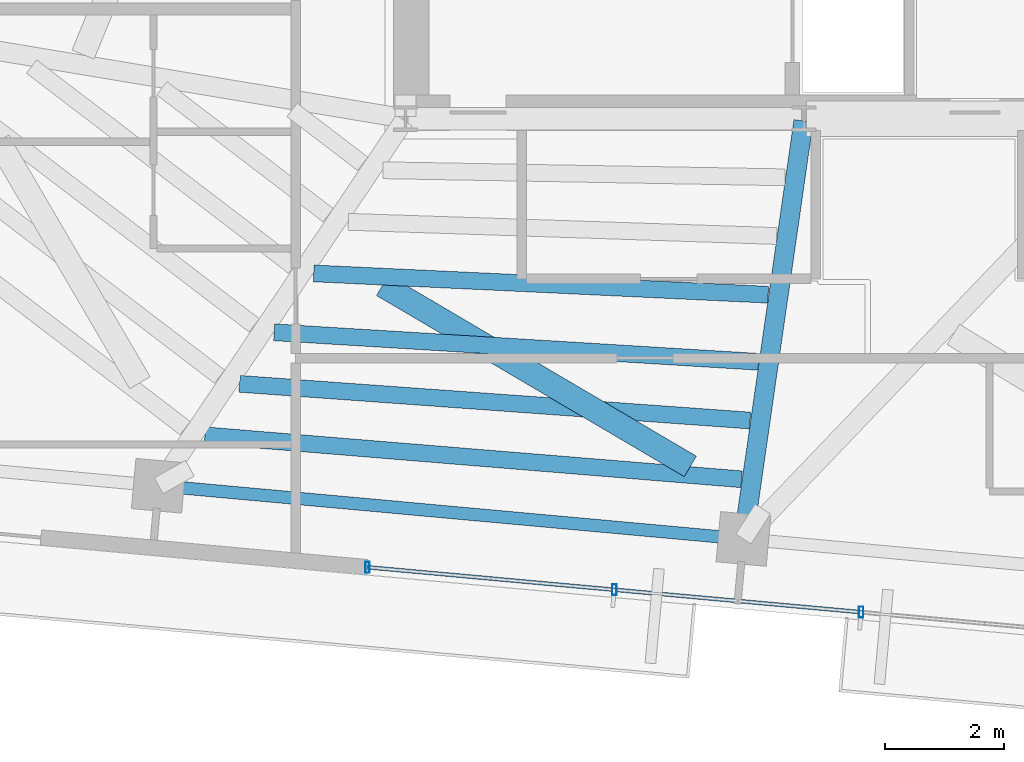
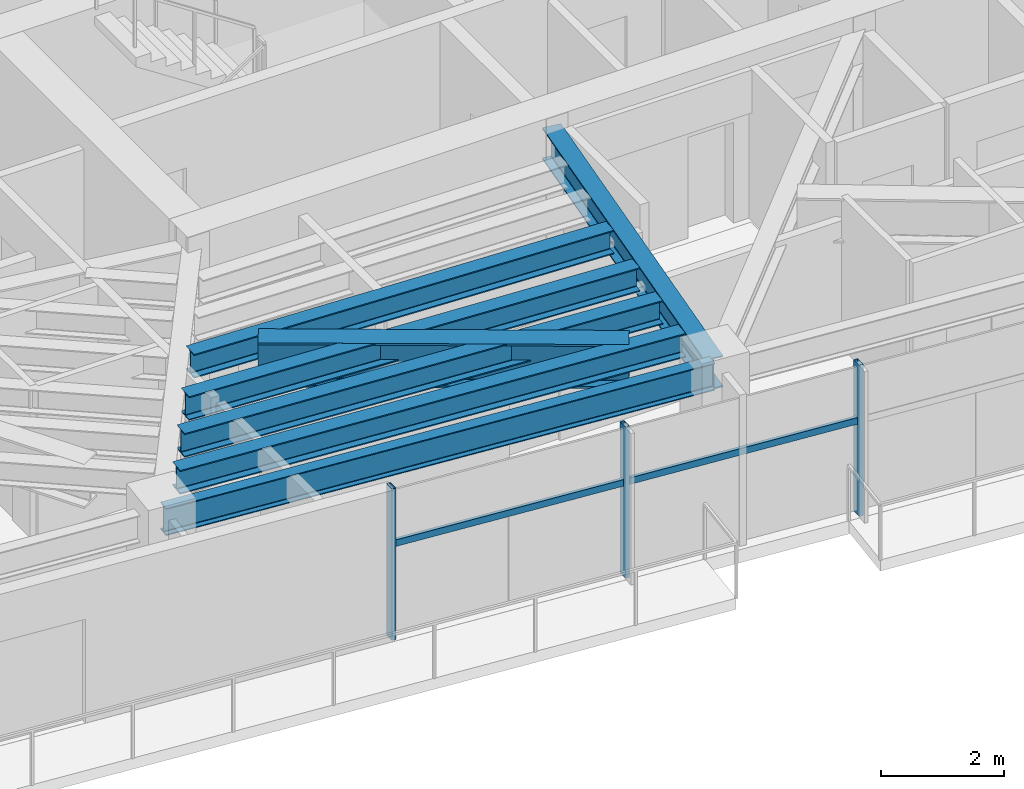
# One storey, part 6 of 22: 7 beams, 5 members, 1 element without a shape of its own.
"""IFC4 building model written with IfcOpenShell, lengths in metres."""

from ifc_helpers import new_model, si_unit, direction, frame, origin, origin_2d, place, context, subcontext, project, spatial, hollow_rectangle, i_section, extrude, source, transform, mapped, material, material_profile, profile_set, type_object, type_shapes, element, aggregate, save


model = new_model("IFC4")

# Units and contexts
model_context = context("Model", 3, precision=1e-05, world=origin(), true_north=direction((0.0, 1.0)))
body_context = subcontext(model_context, "Body", "Model", "MODEL_VIEW")
ifc_project = project(units=[si_unit("LENGTHUNIT", "METRE"), si_unit("AREAUNIT", "SQUARE_METRE"), si_unit("VOLUMEUNIT", "CUBIC_METRE"), si_unit("PLANEANGLEUNIT", "RADIAN"), si_unit("MASSUNIT", "GRAM", prefix="KILO")], contexts=[model_context])

# Site, building, storey
site_placement = place(None, origin())
site = spatial("IfcSite", under=ifc_project, at=site_placement, CompositionType="ELEMENT")
building_placement = place(site_placement, origin())
building = spatial("IfcBuilding", under=site, at=building_placement, Name="Astriad Promenade Condominiums", CompositionType="ELEMENT")
storey_placement = place(building_placement, frame((0.0, 0.0, 256.199951171875)))
storey = spatial("IfcBuildingStorey", under=building, at=storey_placement, Name="L74", CompositionType="ELEMENT", Elevation=256.199951171875)

# Beams
ifc_material_1 = material(Name="Steel ASTM A992 Grade 50", Category="steel")
ifc_material_profile_1 = material_profile(ifc_material_1, i_section(OverallWidth=0.210693359375, OverallDepth=0.53955078125, WebThickness=0.01171875, FlangeThickness=0.018798828125, FilletRadius=0.0166015625, at=origin_2d()), Name="W21X73")
ifc_profile_set_1 = profile_set([ifc_material_profile_1], Name="Steel ASTM A992 Grade 50")
beam_type_1 = type_object("IfcBeamType", Name="STEEL SPANDREL BEAM W21X73", PredefinedType="SPANDREL", material=ifc_profile_set_1)
shared_shape_1 = source(origin(), body_context, "Body", "SweptSolid", [
    extrude(i_section(OverallWidth=0.210693359375, OverallDepth=0.53955078125, WebThickness=0.01171875, FlangeThickness=0.018798828125, FilletRadius=0.0166015625, at=origin_2d()), origin(), (0.0, 0.0, 1.0), 9.81982421875),
])
type_shapes(beam_type_1, [shared_shape_1])
beam_1_placement = place(storey_placement, frame((22.281005859375, 11.205322265625, 2.73046875), z_axis=(0.995885459014, -0.090620927631, 0.0), x_axis=(0.090620927631, 0.995885459014, 0.0)))
element("IfcBeam", 1, at=beam_1_placement, inside=storey, type_object=beam_type_1, Name="Perimeter Spandrel Beam SP-S2-L74", PredefinedType="SPANDREL", context=body_context, shape_type="MappedRepresentation", body=[
    mapped(shared_shape_1, transform((0.0, 0.0, 0.0), scale=1.0)),
])
ifc_material_profile_2 = material_profile(ifc_material_1, i_section(OverallWidth=0.326416015625, OverallDepth=0.621826171875, WebThickness=0.015380859375, FlangeThickness=0.0244140625, FilletRadius=0.017822265625, at=origin_2d()), Name="W24X131")
ifc_profile_set_2 = profile_set([ifc_material_profile_2], Name="Steel ASTM A992 Grade 50")
beam_type_2 = type_object("IfcBeamType", Name="STEEL FLOOR GIRDER W24X131", PredefinedType="BEAM", material=ifc_profile_set_2)
shared_shape_2 = source(origin(), body_context, "Body", "SweptSolid", [
    extrude(i_section(OverallWidth=0.326416015625, OverallDepth=0.621826171875, WebThickness=0.015380859375, FlangeThickness=0.0244140625, FilletRadius=0.017822265625, at=origin_2d()), origin(), (0.0, 0.0, 1.0), 7.081298828125),
])
type_shapes(beam_type_2, [shared_shape_2])
beam_2_placement = place(storey_placement, frame((32.10595703125, 10.351318359375, 2.689208984375), z_axis=(0.142391481124, 0.989810419274, 0.0), x_axis=(-0.989810419274, 0.142391481124, 0.0)))
element("IfcBeam", 2, at=beam_2_placement, inside=storey, type_object=beam_type_2, Name="Primary Floor Girder PG-C1-L74", PredefinedType="BEAM", context=body_context, shape_type="MappedRepresentation", body=[
    mapped(shared_shape_2, transform((0.0, 0.0, 0.0), scale=1.0)),
])
ifc_material_profile_3 = material_profile(ifc_material_1, i_section(OverallWidth=0.283203125, OverallDepth=0.47216796875, WebThickness=0.013671875, FlangeThickness=0.022216796875, FilletRadius=0.01513671875, at=origin_2d()), Name="W18X97")
ifc_profile_set_3 = profile_set([ifc_material_profile_3], Name="Steel ASTM A992 Grade 50")
beam_type_3 = type_object("IfcBeamType", Name="STEEL FLOOR JOIST W18X97", PredefinedType="JOIST", material=ifc_profile_set_3)
shared_shape_3 = source(origin(), body_context, "Body", "SweptSolid", [
    extrude(i_section(OverallWidth=0.283203125, OverallDepth=0.47216796875, WebThickness=0.013671875, FlangeThickness=0.022216796875, FilletRadius=0.01513671875, at=origin_2d()), origin(), (0.0, 0.0, 1.0), 9.08056640625),
])
beam_3_placement = place(storey_placement, frame((23.019775390625, 12.059814453125, 2.763916015625), z_axis=(0.996660857814, -0.081652522934, 0.0), x_axis=(0.081652522934, 0.996660857814, 0.0)))
element("IfcBeam", 3, at=beam_3_placement, inside=storey, type_object=beam_type_3, Name="Secondary Composite Floor Joist JCW-1-L74", PredefinedType="JOIST", context=body_context, shape_type="MappedRepresentation", body=[
    mapped(shared_shape_3, transform((0.0, 0.0, 0.0), scale=1.0)),
])
shared_shape_4 = source(origin(), body_context, "Body", "SweptSolid", [
    extrude(i_section(OverallWidth=0.283203125, OverallDepth=0.47216796875, WebThickness=0.013671875, FlangeThickness=0.022216796875, FilletRadius=0.01513671875, at=origin_2d()), origin(), (0.0, 0.0, 1.0), 8.631591796875),
])
beam_4_placement = place(storey_placement, frame((23.603271484375, 12.92822265625, 2.763916015625), z_axis=(0.997424124914, -0.071729457259, 0.0), x_axis=(0.071729457259, 0.997424124914, 0.0)))
element("IfcBeam", 4, at=beam_4_placement, inside=storey, type_object=beam_type_3, Name="Secondary Composite Floor Joist JCW-2-L74", PredefinedType="JOIST", context=body_context, shape_type="MappedRepresentation", body=[
    mapped(shared_shape_4, transform((0.0, 0.0, 0.0), scale=1.0)),
])
shared_shape_5 = source(origin(), body_context, "Body", "SweptSolid", [
    extrude(i_section(OverallWidth=0.283203125, OverallDepth=0.47216796875, WebThickness=0.013671875, FlangeThickness=0.022216796875, FilletRadius=0.01513671875, at=origin_2d()), origin(), (0.0, 0.0, 1.0), 8.183349609375),
])
beam_5_placement = place(storey_placement, frame((24.186767578125, 13.797119140625, 2.763916015625), z_axis=(0.998148077796, -0.06083103478, 0.0), x_axis=(0.06083103478, 0.998148077796, 0.0)))
element("IfcBeam", 5, at=beam_5_placement, inside=storey, type_object=beam_type_3, Name="Secondary Composite Floor Joist JCW-3-L74", PredefinedType="JOIST", context=body_context, shape_type="MappedRepresentation", body=[
    mapped(shared_shape_5, transform((0.0, 0.0, 0.0), scale=1.0)),
])
shared_shape_6 = source(origin(), body_context, "Body", "SweptSolid", [
    extrude(i_section(OverallWidth=0.283203125, OverallDepth=0.47216796875, WebThickness=0.013671875, FlangeThickness=0.022216796875, FilletRadius=0.01513671875, at=origin_2d()), origin(), (0.0, 0.0, 1.0), 7.672119140625),
])
type_shapes(beam_type_3, [shared_shape_3, shared_shape_4, shared_shape_5, shared_shape_6])
beam_6_placement = place(storey_placement, frame((24.85400390625, 14.790283203125, 2.763916015625), z_axis=(0.998903848677, -0.04680919886, 0.0), x_axis=(0.04680919886, 0.998903848677, 0.0)))
element("IfcBeam", 6, at=beam_6_placement, inside=storey, type_object=beam_type_3, Name="Secondary Composite Floor Joist JCW-4-L74", PredefinedType="JOIST", context=body_context, shape_type="MappedRepresentation", body=[
    mapped(shared_shape_6, transform((0.0, 0.0, 0.0), scale=1.0)),
])
ifc_material_profile_4 = material_profile(ifc_material_1, i_section(OverallWidth=0.4013671875, OverallDepth=0.877197265625, WebThickness=0.022216796875, FlangeThickness=0.039794921875, FilletRadius=0.02294921875, at=origin_2d()), Name="W33X263")
ifc_profile_set_4 = profile_set([ifc_material_profile_4], Name="Steel ASTM A992 Grade 50")
beam_type_4 = type_object("IfcBeamType", Name="STEEL TRANSFER CARRIER GIRDER W33X263", PredefinedType="BEAM", material=ifc_profile_set_4)
shared_shape_7 = source(origin(), body_context, "Body", "SweptSolid", [
    extrude(i_section(OverallWidth=0.4013671875, OverallDepth=0.877197265625, WebThickness=0.022216796875, FlangeThickness=0.039794921875, FilletRadius=0.02294921875, at=origin_2d()), origin(), (0.0, 0.0, 1.0), 6.022705078125),
])
type_shapes(beam_type_4, [shared_shape_7])
beam_7_placement = place(storey_placement, frame((26.0146484375, 14.589599609375, 2.5615234375), z_axis=(0.861882107436, -0.507108699277, 0.0), x_axis=(0.507108699277, 0.861882107436, 0.0)))
element("IfcBeam", 7, at=beam_7_placement, inside=storey, type_object=beam_type_4, Name="Transfer Splice Carrier TRM-SP-PC03-L74", PredefinedType="BEAM", context=body_context, shape_type="MappedRepresentation", body=[
    mapped(shared_shape_7, transform((0.0, 0.0, 0.0), scale=1.0)),
])

# Curtain wall, members
ifc_material_2 = material(Name="Anodised aluminium Black Dark Glass Unitised", Category="aluminium")
curtain_wall_type = type_object("IfcCurtainWallType", Name="CW-B5-DARK", PredefinedType="USERDEFINED", material=ifc_material_2)
curtain_wall_placement = place(storey_placement, origin())
curtain_wall = element("IfcCurtainWall", 8, at=curtain_wall_placement, inside=storey, type_object=curtain_wall_type, Name="CW-L74-S", ObjectType="UNITISED_CURTAIN_WALL", PredefinedType="USERDEFINED")
ifc_material_3 = material(Name="Anodised aluminium 6063-T6 Black", Category="aluminium")
ifc_material_profile_5 = material_profile(ifc_material_3, hollow_rectangle(XDim=0.06494140625, YDim=0.1298828125, WallThickness=0.00390625, at=origin_2d()), Name="ALU-TRN-65X130")
ifc_profile_set_5 = profile_set([ifc_material_profile_5], Name="Anodised aluminium 6063-T6 Black")
member_type_1 = type_object("IfcMemberType", Name="TRN-ALU-TRN-65X130", PredefinedType="USERDEFINED", material=ifc_profile_set_5)
shared_shape_8 = source(origin(), body_context, "Body", "SweptSolid", [
    extrude(hollow_rectangle(XDim=0.06494140625, YDim=0.1298828125, WallThickness=0.00390625, at=origin_2d()), origin(), (0.0, 0.0, 1.0), 4.179931640625),
])
type_shapes(member_type_1, [shared_shape_8])
member_1_placement = place(storey_placement, frame((34.086669921875, 9.07666015625, 1.860107421875), z_axis=(-0.995883146811, 0.090646334165, 0.0), x_axis=(-0.090646334165, -0.995883146811, 0.0)))
member_1 = element("IfcMember", 9, at=member_1_placement, type_object=member_type_1, Name="CW-L74-S-TRN-01-0", ObjectType="TRANSOM", PredefinedType="USERDEFINED", context=body_context, shape_type="MappedRepresentation", body=[
    mapped(shared_shape_8, transform((0.0, 0.0, 0.0), scale=1.0)),
])
member_2_placement = place(storey_placement, frame((29.923828125, 9.45556640625, 1.860107421875), z_axis=(-0.995883146811, 0.090646334165, 0.0), x_axis=(-0.090646334165, -0.995883146811, 0.0)))
member_2 = element("IfcMember", 10, at=member_2_placement, type_object=member_type_1, Name="CW-L74-S-TRN-02-0", ObjectType="TRANSOM", PredefinedType="USERDEFINED", context=body_context, shape_type="MappedRepresentation", body=[
    mapped(shared_shape_8, transform((0.0, 0.0, 0.0), scale=1.0)),
])
ifc_material_profile_6 = material_profile(ifc_material_3, hollow_rectangle(XDim=0.074951171875, YDim=0.18505859375, WallThickness=0.00439453125, at=origin_2d()), Name="ALU-MUL-75X185")
ifc_profile_set_6 = profile_set([ifc_material_profile_6], Name="Anodised aluminium 6063-T6 Black")
member_type_2 = type_object("IfcMemberType", Name="MUL-ALU-MUL-75X185", PredefinedType="MULLION", material=ifc_profile_set_6)
shared_shape_9 = source(origin(), body_context, "Body", "SweptSolid", [
    extrude(hollow_rectangle(XDim=0.074951171875, YDim=0.18505859375, WallThickness=0.00439453125, at=origin_2d()), origin(), (0.0, 0.0, 1.0), 3.0),
])
type_shapes(member_type_2, [shared_shape_9])
member_3_placement = place(storey_placement, frame((34.086669921875, 9.07666015625, 0.0), z_axis=(0.0, 0.0, 1.0), x_axis=(1.0, 0.0, 0.0)))
member_3 = element("IfcMember", 11, at=member_3_placement, type_object=member_type_2, Name="CW-L74-S-MUL-01", PredefinedType="MULLION", context=body_context, shape_type="MappedRepresentation", body=[
    mapped(shared_shape_9, transform((0.0, 0.0, 0.0), scale=1.0)),
])
member_4_placement = place(storey_placement, frame((29.923828125, 9.45556640625, 0.0), z_axis=(0.0, 0.0, 1.0), x_axis=(1.0, 0.0, 0.0)))
member_4 = element("IfcMember", 12, at=member_4_placement, type_object=member_type_2, Name="CW-L74-S-MUL-02", PredefinedType="MULLION", context=body_context, shape_type="MappedRepresentation", body=[
    mapped(shared_shape_9, transform((0.0, 0.0, 0.0), scale=1.0)),
])
member_5_placement = place(storey_placement, frame((25.760986328125, 9.83447265625, 0.0), z_axis=(0.0, 0.0, 1.0), x_axis=(1.0, 0.0, 0.0)))
member_5 = element("IfcMember", 13, at=member_5_placement, type_object=member_type_2, Name="CW-L74-S-MUL-03", PredefinedType="MULLION", context=body_context, shape_type="MappedRepresentation", body=[
    mapped(shared_shape_9, transform((0.0, 0.0, 0.0), scale=1.0)),
])
aggregate(curtain_wall, [member_3, member_4, member_5, member_1, member_2])

save(model, "model.ifc")
